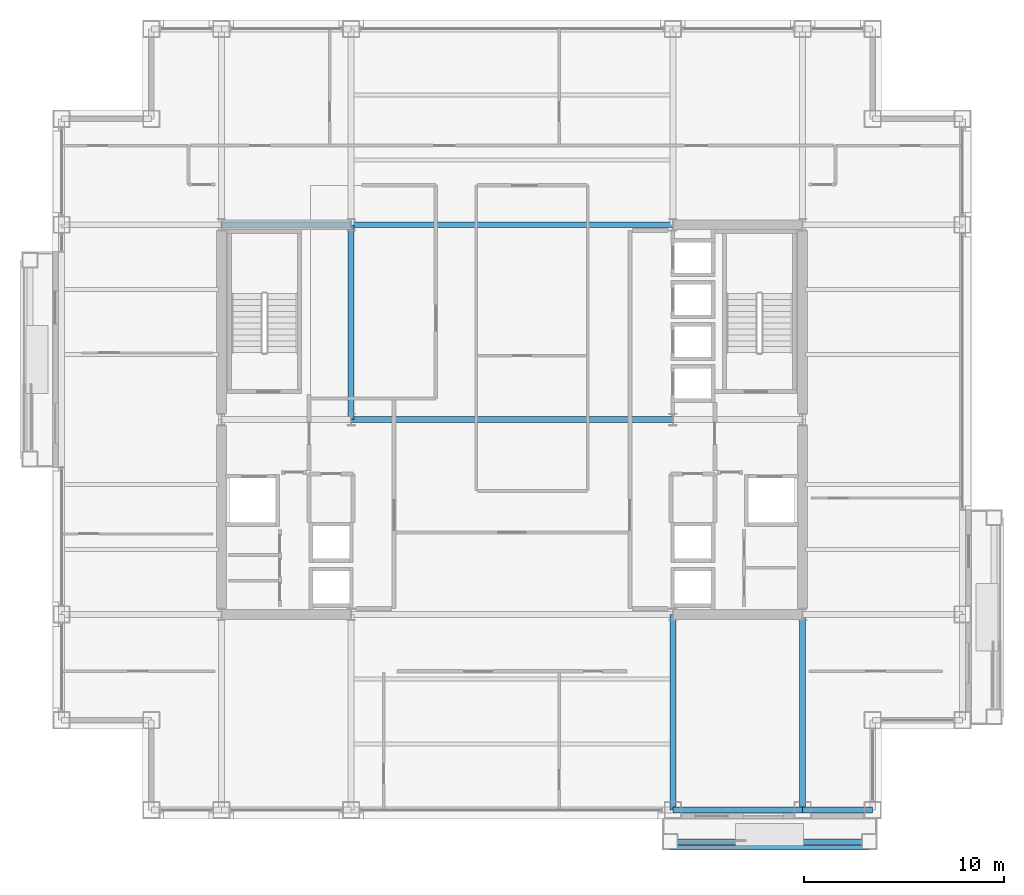
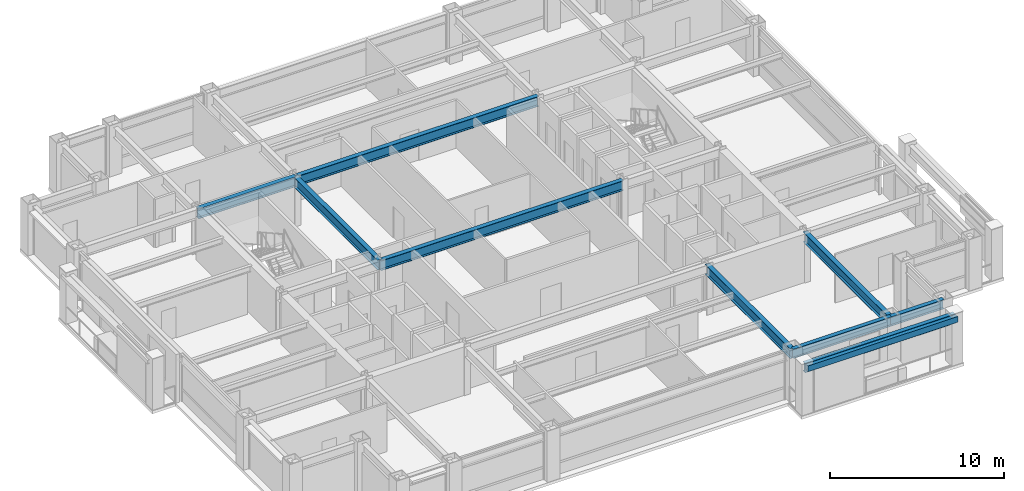
# One storey, part 12 of 31: 9 beams, 1 member.
"""IFC4 building model written with IfcOpenShell, lengths in metres."""

from ifc_helpers import new_model, si_unit, direction, frame, origin, origin_2d, place, context, subcontext, project, spatial, hollow_rectangle, i_section, extrude, material, material_profile, profile_set, type_object, element, save


model = new_model("IFC4")

# Units and contexts
model_context = context("Model", 3, precision=1e-05, world=origin(), true_north=direction((0.0, 1.0)))
body_context = subcontext(model_context, "Body", "Model", "MODEL_VIEW")
ifc_project = project(units=[si_unit("LENGTHUNIT", "METRE"), si_unit("AREAUNIT", "SQUARE_METRE"), si_unit("VOLUMEUNIT", "CUBIC_METRE"), si_unit("PLANEANGLEUNIT", "RADIAN"), si_unit("MASSUNIT", "GRAM", prefix="KILO")], contexts=[model_context])

# Site, building, storey
site_placement = place(None, origin())
site = spatial("IfcSite", under=ifc_project, at=site_placement, CompositionType="ELEMENT")
building_placement = place(site_placement, origin())
building = spatial("IfcBuilding", under=site, at=building_placement, Name="Brelmoor Portico Tower", CompositionType="ELEMENT")
storey_placement = place(building_placement, frame((0.0, 0.0, 113.39990234375)))
storey = spatial("IfcBuildingStorey", under=building, at=storey_placement, Name="L29", CompositionType="ELEMENT", Elevation=113.39990234375)

# Beams
ifc_material_1 = material(Name="Steel Q355B", Category="steel")
ifc_material_profile_1 = material_profile(ifc_material_1, i_section(OverallWidth=0.300048828125, OverallDepth=0.699951171875, WebThickness=0.012939453125, FlangeThickness=0.02392578125, at=origin_2d()), Name="HN 700x300x13x24")
ifc_profile_set_1 = profile_set([ifc_material_profile_1], Name="Steel Q355B")
beam_type_1 = type_object("IfcBeamType", Name="BM-PG-700", PredefinedType="BEAM", material=ifc_profile_set_1)
beam_1_placement = place(storey_placement, frame((-8.050048828125, 0.0, 3.050048828125), z_axis=(0.0, 1.0, 0.0), x_axis=(-1.0, 0.0, 0.0)))
element("IfcBeam", 1, at=beam_1_placement, inside=storey, type_object=beam_type_1, Name="L29 Primary Floor Girder PG-06", PredefinedType="BEAM", context=body_context, shape_type="SweptSolid", body=[
    extrude(i_section(OverallWidth=0.300048828125, OverallDepth=0.699951171875, WebThickness=0.012939453125, FlangeThickness=0.02392578125, at=origin_2d()), origin(), (0.0, 0.0, 1.0), 9.75),
])
for number, where, z_axis, x_axis, name in (
    (2, (8.050048828125, -19.550048828125, 3.050048828125), (0.0, 1.0, 0.0), (-1.0, 0.0, 0.0), "L29 Primary Floor Girder PG-08"),
    (3, (14.550048828125, -19.550048828125, 3.050048828125), (0.0, 1.0, 0.0), (-1.0, 0.0, 0.0), "L29 Primary Floor Girder PG-10"),
):
    element("IfcBeam", number, at=place(storey_placement, frame(where, z_axis=z_axis, x_axis=x_axis)), inside=storey, type_object=beam_type_1, Name=name, PredefinedType="BEAM", context=body_context, shape_type="SweptSolid", body=[
        extrude(i_section(OverallWidth=0.300048828125, OverallDepth=0.699951171875, WebThickness=0.012939453125, FlangeThickness=0.02392578125, at=origin_2d()), origin(), (0.0, 0.0, 1.0), 9.800048828125),
    ])
beam_2_placement = place(storey_placement, frame((-8.050048828125, 0.0, 3.050048828125), z_axis=(1.0, 0.0, 0.0), x_axis=(0.0, 1.0, 0.0)))
element("IfcBeam", 4, at=beam_2_placement, inside=storey, type_object=beam_type_1, Name="L29 Primary Floor Girder PG-20", PredefinedType="BEAM", context=body_context, shape_type="SweptSolid", body=[
    extrude(i_section(OverallWidth=0.300048828125, OverallDepth=0.699951171875, WebThickness=0.012939453125, FlangeThickness=0.02392578125, at=origin_2d()), origin(), (0.0, 0.0, 1.0), 16.10009765625),
])
beam_3_placement = place(storey_placement, frame((-14.550048828125, 9.75, 3.050048828125), z_axis=(1.0, 0.0, 0.0), x_axis=(0.0, 1.0, 0.0)))
element("IfcBeam", 5, at=beam_3_placement, inside=storey, type_object=beam_type_1, Name="L29 Primary Floor Girder PG-23", PredefinedType="BEAM", context=body_context, shape_type="SweptSolid", body=[
    extrude(i_section(OverallWidth=0.300048828125, OverallDepth=0.699951171875, WebThickness=0.012939453125, FlangeThickness=0.02392578125, at=origin_2d()), origin(), (0.0, 0.0, 1.0), 6.5),
])
beam_4_placement = place(storey_placement, frame((-8.050048828125, 9.75, 3.050048828125), z_axis=(1.0, 0.0, 0.0), x_axis=(0.0, 1.0, 0.0)))
element("IfcBeam", 6, at=beam_4_placement, inside=storey, type_object=beam_type_1, Name="L29 Primary Floor Girder PG-24", PredefinedType="BEAM", context=body_context, shape_type="SweptSolid", body=[
    extrude(i_section(OverallWidth=0.300048828125, OverallDepth=0.699951171875, WebThickness=0.012939453125, FlangeThickness=0.02392578125, at=origin_2d()), origin(), (0.0, 0.0, 1.0), 16.10009765625),
])
ifc_material_profile_2 = material_profile(ifc_material_1, i_section(OverallWidth=0.280029296875, OverallDepth=0.64990234375, WebThickness=0.012939453125, FlangeThickness=0.02197265625, at=origin_2d()), Name="HN 650x280x13x22")
ifc_profile_set_2 = profile_set([ifc_material_profile_2], Name="Steel Q355B")
beam_type_2 = type_object("IfcBeamType", Name="BM-SP-650", PredefinedType="SPANDREL", material=ifc_profile_set_2)
beam_5_placement = place(storey_placement, frame((8.050048828125, -19.550048828125, 3.0751953125), z_axis=(1.0, 0.0, 0.0), x_axis=(0.0, 1.0, 0.0)))
element("IfcBeam", 7, at=beam_5_placement, inside=storey, type_object=beam_type_2, Name="L29 Perimeter Spandrel Beam SP-04", PredefinedType="SPANDREL", context=body_context, shape_type="SweptSolid", body=[
    extrude(i_section(OverallWidth=0.280029296875, OverallDepth=0.64990234375, WebThickness=0.012939453125, FlangeThickness=0.02197265625, at=origin_2d()), origin(), (0.0, 0.0, 1.0), 6.5),
])
beam_6_placement = place(storey_placement, frame((14.550048828125, -19.550048828125, 3.0751953125), z_axis=(1.0, 0.0, 0.0), x_axis=(0.0, 1.0, 0.0)))
element("IfcBeam", 8, at=beam_6_placement, inside=storey, type_object=beam_type_2, Name="L29 Perimeter Spandrel Beam SP-05", PredefinedType="SPANDREL", context=body_context, shape_type="SweptSolid", body=[
    extrude(i_section(OverallWidth=0.280029296875, OverallDepth=0.64990234375, WebThickness=0.012939453125, FlangeThickness=0.02197265625, at=origin_2d()), origin(), (0.0, 0.0, 1.0), 3.5),
])
beam_7_placement = place(storey_placement, frame((7.919921875, -21.1298828125, 3.0751953125), z_axis=(1.0, 0.0, 0.0), x_axis=(0.0, 1.0, 0.0)))
element("IfcBeam", 9, at=beam_7_placement, inside=storey, type_object=beam_type_2, Name="L29 Picture-Frame Perimeter Lintel Beam S1", PredefinedType="SPANDREL", context=body_context, shape_type="SweptSolid", body=[
    extrude(i_section(OverallWidth=0.280029296875, OverallDepth=0.64990234375, WebThickness=0.012939453125, FlangeThickness=0.02197265625, at=origin_2d()), origin(), (0.0, 0.0, 1.0), 9.9599609375),
])

# Member
ifc_material_2 = material(Name="Pale Champagne Fluoropolymer-Coated Steel Q355B", Category="steel")
ifc_material_profile_3 = material_profile(ifc_material_2, hollow_rectangle(XDim=0.25, YDim=0.39990234375, WallThickness=0.013916015625, at=origin_2d()), Name="RHS 250x400x14")
ifc_profile_set_3 = profile_set([ifc_material_profile_3], Name="Pale Champagne Fluoropolymer-Coated Steel Q355B")
member_type = type_object("IfcMemberType", Name="MB-PF-HEADER", PredefinedType="MEMBER", material=ifc_profile_set_3)
member_placement = place(storey_placement, frame((7.919921875, -21.429931640625, 3.2001953125), z_axis=(1.0, 0.0, 0.0), x_axis=(0.0, 1.0, 0.0)))
element("IfcMember", 10, at=member_placement, inside=storey, type_object=member_type, Name="L29 Picture-Frame Header S", PredefinedType="MEMBER", context=body_context, shape_type="SweptSolid", body=[
    extrude(hollow_rectangle(XDim=0.25, YDim=0.39990234375, WallThickness=0.013916015625, at=origin_2d()), origin(), (0.0, 0.0, 1.0), 9.9599609375),
])

save(model, "model.ifc")
